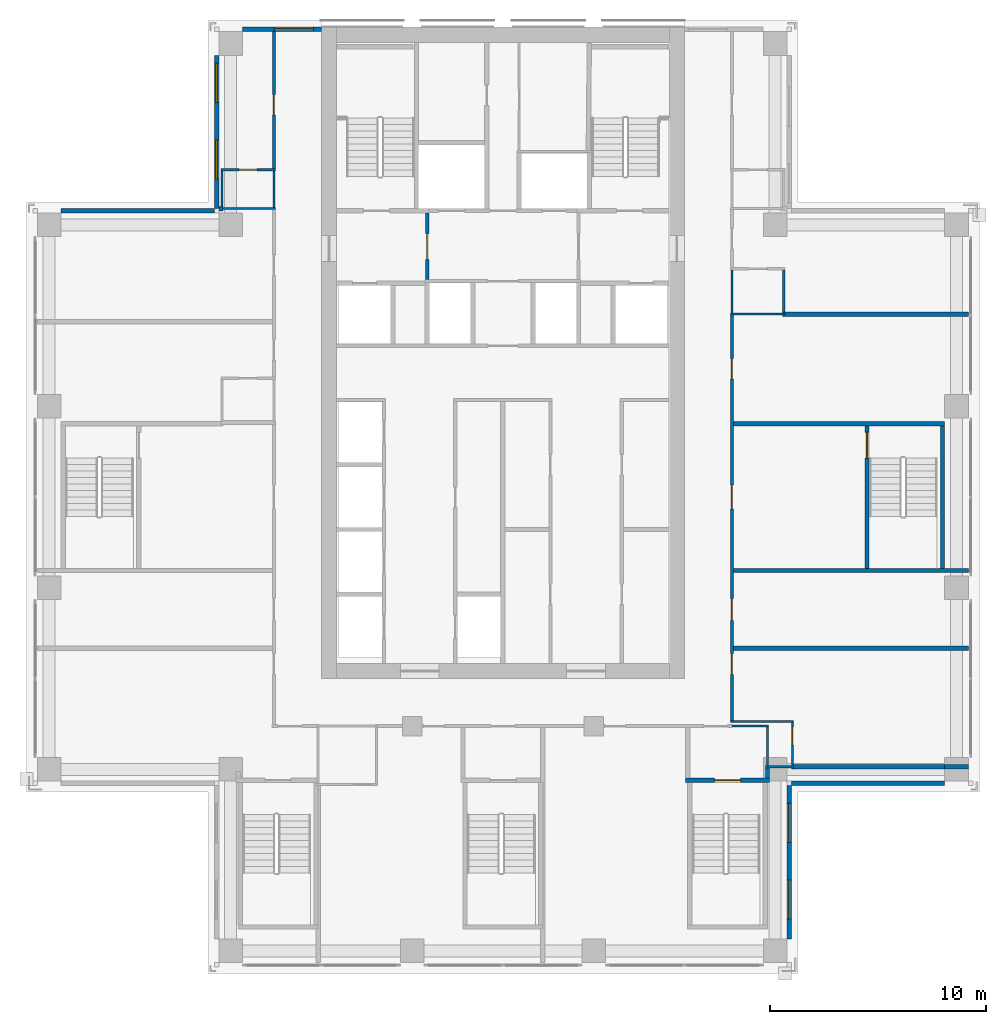
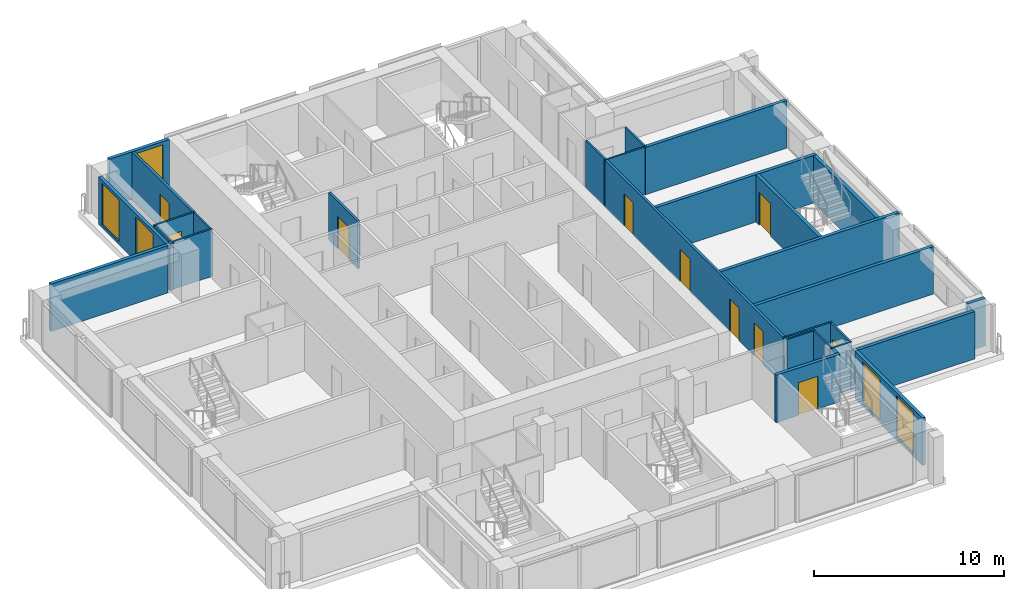
# One storey, part 11 of 16: 31 walls, 10 doors, 5 windows, 15 openings.
"""IFC4 building model written with IfcOpenShell, lengths in metres."""

from ifc_helpers import new_model, si_unit, direction, frame, frame_2d, origin, place, context, subcontext, project, spatial, rectangle, extrude, material, layer, layer_set, type_object, element, fill, save


model = new_model("IFC4")

# Units and contexts
model_context = context("Model", 3, precision=1e-05, world=origin(), true_north=direction((0.0, 1.0)))
body_context = subcontext(model_context, "Body", "Model", "MODEL_VIEW")
ifc_project = project(units=[si_unit("LENGTHUNIT", "METRE"), si_unit("AREAUNIT", "SQUARE_METRE"), si_unit("VOLUMEUNIT", "CUBIC_METRE"), si_unit("PLANEANGLEUNIT", "RADIAN"), si_unit("MASSUNIT", "GRAM", prefix="KILO")], contexts=[model_context])

# Site, building, storey
site_placement = place(None, origin())
site = spatial("IfcSite", under=ifc_project, at=site_placement, CompositionType="ELEMENT")
building_placement = place(site_placement, origin())
building = spatial("IfcBuilding", under=site, at=building_placement, Name="Vermilion Ogive Tower", CompositionType="ELEMENT")
storey_placement = place(building_placement, frame((0.0, 0.0, 146.89990234375)))
storey = spatial("IfcBuildingStorey", under=building, at=storey_placement, Name="L37", CompositionType="ELEMENT", Elevation=146.89990234375)

# Walls
ifc_material_1 = material(Name="Gypsum board partition on steel studs", Category="steel")
ifc_layer_1 = layer(ifc_material_1, 0.10009765625)
ifc_layer_set_1 = layer_set([ifc_layer_1], Name="Partition 100 bath")
wall_type_1 = type_object("IfcWallType", Name="Partition 100 bath", PredefinedType="PARTITIONING", material=ifc_layer_set_1)
wall_1_placement = place(storey_placement, frame((12.152099609375, -12.47998046875, 0.0), z_axis=(0.0, 0.0, 1.0), x_axis=(1.0, 0.0, 0.0)))
element("IfcWall", 1, at=wall_1_placement, inside=storey, type_object=wall_type_1, Name="L37-W-W008", PredefinedType="PARTITIONING", context=body_context, shape_type="SweptSolid", body=[
    extrude(rectangle(XDim=1.2978515625, YDim=0.10009765625, at=frame_2d((0.64892578125, 0.0))), origin(), (0.0, 0.0, 1.0), 3.050048828125),
])
wall_2_placement = place(storey_placement, frame((10.60009765625, -10.60009765625, 0.0), z_axis=(0.0, 0.0, 1.0), x_axis=(1.0, 0.0, 0.0)))
element("IfcWall", 2, at=wall_2_placement, inside=storey, type_object=wall_type_1, Name="L37-W-W013", PredefinedType="PARTITIONING", context=body_context, shape_type="SweptSolid", body=[
    extrude(rectangle(XDim=1.699951171875, YDim=0.10009765625, at=frame_2d((0.85009765625, 0.0))), origin(), (0.0, 0.0, 1.0), 3.050048828125),
])
wall_3_placement = place(storey_placement, frame((10.52490234375, -10.3798828125, 0.0), z_axis=(0.0, 0.0, 1.0), x_axis=(1.0, 0.0, 0.0)))
element("IfcWall", 3, at=wall_3_placement, inside=storey, type_object=wall_type_1, Name="L37-W-W014", PredefinedType="PARTITIONING", context=body_context, shape_type="SweptSolid", body=[
    extrude(rectangle(XDim=2.925048828125, YDim=0.10009765625, at=frame_2d((1.46240234375, 0.0))), origin(), (0.0, 0.0, 1.0), 3.050048828125),
])
for number, where, z_axis, x_axis, name in (
    (4, (10.52490234375, 8.469970703125, 0.0), (0.0, 0.0, 1.0), (1.0, 0.0, 0.0), "L37-W-W024"),
    (5, (-13.050048828125, 13.35009765625, 0.0), (0.0, 0.0, 1.0), (1.0, 0.0, 0.0), "L37-W-W028"),
):
    element("IfcWall", number, at=place(storey_placement, frame(where, z_axis=z_axis, x_axis=x_axis)), inside=storey, type_object=wall_type_1, Name=name, PredefinedType="PARTITIONING", context=body_context, shape_type="SweptSolid", body=[
        extrude(rectangle(XDim=2.525146484375, YDim=0.10009765625, at=frame_2d((1.2626953125, 0.0))), origin(), (0.0, 0.0, 1.0), 3.050048828125),
    ])

# Wall, opening, door
wall_4_placement = place(storey_placement, frame((-13.050048828125, 15.14990234375, 0.0), z_axis=(0.0, 0.0, 1.0), x_axis=(1.0, 0.0, 0.0)))
wall_4 = element("IfcWall", 6, at=wall_4_placement, inside=storey, type_object=wall_type_1, Name="L37-W-W031", PredefinedType="PARTITIONING", context=body_context, shape_type="SweptSolid", body=[
    extrude(rectangle(XDim=2.525146484375, YDim=0.10009765625, at=frame_2d((1.2626953125, 0.0))), origin(), (0.0, 0.0, 1.0), 3.050048828125),
])
opening_1_placement = place(wall_4_placement, frame((0.824951171875, 0.0, 0.0)))
opening_1 = element("IfcOpeningElement", 7, at=opening_1_placement, cuts=wall_4, Name="Opening D3G2006", PredefinedType="OPENING", context=body_context, shape_type="SweptSolid", body=[
    extrude(rectangle(XDim=0.85009765625, YDim=2.10009765625, at=frame_2d((0.425048828125, 1.050048828125))), frame((0.0, 0.06005859375, 0.0), z_axis=(0.0, -1.0, 0.0), x_axis=(1.0, 0.0, 0.0)), (0.0, 0.0, 1.0), 0.1201171875),
])
ifc_material_2 = material(Name="Timber door leaf", Category="wood")
door_type_1 = type_object("IfcDoorType", Name="Bath door 850 x 2100 FD30", OperationType="SINGLE_SWING_LEFT", PredefinedType="DOOR", material=ifc_material_2)
door_1_placement = place(opening_1_placement, origin())
door_1 = element("IfcDoor", 8, at=door_1_placement, inside=storey, type_object=door_type_1, Name="L37-D-D006", OperationType="SINGLE_SWING_RIGHT", OverallHeight=2.10009765625, OverallWidth=0.85009765625, PredefinedType="DOOR", context=body_context, shape_type="SweptSolid", body=[
    extrude(rectangle(XDim=0.85009765625, YDim=2.10009765625, at=frame_2d((0.425048828125, 1.050048828125))), frame((0.0, 0.02490234375, 0.0), z_axis=(0.0, -1.0, 0.0), x_axis=(1.0, 0.0, 0.0)), (0.0, 0.0, 1.0), 0.050048828125),
])
fill(opening_1, door_1)

# Walls
wall_5_placement = place(storey_placement, frame((-13.0, 13.449951171875, 0.0), z_axis=(0.0, 0.0, 1.0), x_axis=(0.0, 1.0, 0.0)))
element("IfcWall", 9, at=wall_5_placement, inside=storey, type_object=wall_type_1, Name="L37-W-W036", PredefinedType="PARTITIONING", context=body_context, shape_type="SweptSolid", body=[
    extrude(rectangle(XDim=1.650146484375, YDim=0.10009765625, at=frame_2d((0.8251953125, 0.0))), origin(), (0.0, 0.0, 1.0), 3.050048828125),
])
wall_6_placement = place(storey_placement, frame((-10.60009765625, 13.39990234375, 0.0), z_axis=(0.0, 0.0, 1.0), x_axis=(0.0, 1.0, 0.0)))
element("IfcWall", 10, at=wall_6_placement, inside=storey, type_object=wall_type_1, Name="L37-W-W042", PredefinedType="PARTITIONING", context=body_context, shape_type="SweptSolid", body=[
    extrude(rectangle(XDim=1.7001953125, YDim=0.10009765625, at=frame_2d((0.85009765625, 0.0))), origin(), (0.0, 0.0, 1.0), 3.050048828125),
])
wall_7_placement = place(storey_placement, frame((10.60009765625, 8.52001953125, 0.0), z_axis=(0.0, 0.0, 1.0), x_axis=(0.0, 1.0, 0.0)))
element("IfcWall", 11, at=wall_7_placement, inside=storey, type_object=wall_type_1, Name="L37-W-W055", PredefinedType="PARTITIONING", context=body_context, shape_type="SweptSolid", body=[
    extrude(rectangle(XDim=2.0, YDim=0.10009765625, at=frame_2d((1.0, 0.0))), origin(), (0.0, 0.0, 1.0), 3.050048828125),
])
wall_8_placement = place(storey_placement, frame((12.25, -12.429931640625, 0.0), z_axis=(0.0, 0.0, 1.0), x_axis=(0.0, 1.0, 0.0)))
element("IfcWall", 12, at=wall_8_placement, inside=storey, type_object=wall_type_1, Name="L37-W-W061", PredefinedType="PARTITIONING", context=body_context, shape_type="SweptSolid", body=[
    extrude(rectangle(XDim=1.780029296875, YDim=0.10009765625, at=frame_2d((0.89013671875, 0.0))), origin(), (0.0, 0.0, 1.0), 3.050048828125),
])
wall_9_placement = place(storey_placement, frame((13.0, 8.570068359375, 0.0), z_axis=(0.0, 0.0, 1.0), x_axis=(0.0, 1.0, 0.0)))
element("IfcWall", 13, at=wall_9_placement, inside=storey, type_object=wall_type_1, Name="L37-W-W062", PredefinedType="PARTITIONING", context=body_context, shape_type="SweptSolid", body=[
    extrude(rectangle(XDim=1.949951171875, YDim=0.10009765625, at=frame_2d((0.97509765625, 0.0))), origin(), (0.0, 0.0, 1.0), 3.050048828125),
])

# Wall, opening, door
wall_10_placement = place(storey_placement, frame((13.39990234375, -12.3798828125, 0.0), z_axis=(0.0, 0.0, 1.0), x_axis=(0.0, 1.0, 0.0)))
wall_10 = element("IfcWall", 14, at=wall_10_placement, inside=storey, type_object=wall_type_1, Name="L37-W-W064", PredefinedType="PARTITIONING", context=body_context, shape_type="SweptSolid", body=[
    extrude(rectangle(XDim=1.949951171875, YDim=0.10009765625, at=frame_2d((0.97509765625, 0.0))), origin(), (0.0, 0.0, 1.0), 3.050048828125),
])
opening_2_placement = place(wall_10_placement, frame((0.89990234375, 0.0, 0.0)))
opening_2 = element("IfcOpeningElement", 15, at=opening_2_placement, cuts=wall_10, Name="Opening D3G2011", PredefinedType="OPENING", context=body_context, shape_type="SweptSolid", body=[
    extrude(rectangle(XDim=0.85009765625, YDim=2.10009765625, at=frame_2d((0.425048828125, 1.050048828125))), frame((0.0, 0.06005859375, 0.0), z_axis=(0.0, -1.0, 0.0), x_axis=(1.0, 0.0, 0.0)), (0.0, 0.0, 1.0), 0.1201171875),
])
door_2_placement = place(opening_2_placement, origin())
door_2 = element("IfcDoor", 16, at=door_2_placement, inside=storey, type_object=door_type_1, Name="L37-D-D011", OperationType="SINGLE_SWING_LEFT", OverallHeight=2.10009765625, OverallWidth=0.85009765625, PredefinedType="DOOR", context=body_context, shape_type="SweptSolid", body=[
    extrude(rectangle(XDim=0.85009765625, YDim=2.10009765625, at=frame_2d((0.425048828125, 1.050048828125))), frame((0.0, 0.02490234375, 0.0), z_axis=(0.0, -1.0, 0.0), x_axis=(1.0, 0.0, 0.0)), (0.0, 0.0, 1.0), 0.050048828125),
])
fill(opening_2, door_2)

ifc_material_3 = material(Name="Gypsum board partition on steel studs", Category="steel")
ifc_layer_2 = layer(ifc_material_3, 0.14990234375)
ifc_layer_set_2 = layer_set([ifc_layer_2], Name="Partition 150 corridor")
wall_type_2 = type_object("IfcWallType", Name="Partition 150 corridor", PredefinedType="PARTITIONING", material=ifc_layer_set_2)
wall_11_placement = place(storey_placement, frame((-10.60009765625, 15.199951171875, 0.0), z_axis=(0.0, 0.0, 1.0), x_axis=(0.0, 1.0, 0.0)))
wall_11 = element("IfcWall", 17, at=wall_11_placement, inside=storey, type_object=wall_type_2, Name="L37-W-W043", PredefinedType="PARTITIONING", context=body_context, shape_type="SweptSolid", body=[
    extrude(rectangle(XDim=6.35009765625, YDim=0.14990234375, at=frame_2d((3.175048828125, 0.0))), origin(), (0.0, 0.0, 1.0), 3.050048828125),
])
opening_3_placement = place(wall_11_placement, frame((2.47509765625, 0.0, 0.0)))
opening_3 = element("IfcOpeningElement", 18, at=opening_3_placement, cuts=wall_11, Name="Opening D3G2005", PredefinedType="OPENING", context=body_context, shape_type="SweptSolid", body=[
    extrude(rectangle(XDim=0.949951171875, YDim=2.10009765625, at=frame_2d((0.47509765625, 1.050048828125))), frame((0.0, 0.0849609375, 0.0), z_axis=(0.0, -1.0, 0.0), x_axis=(1.0, 0.0, 0.0)), (0.0, 0.0, 1.0), 0.169921875),
])
ifc_material_4 = material(Name="Timber door leaf", Category="wood")
door_type_2 = type_object("IfcDoorType", Name="Unit door 950 x 2100 FD30S", OperationType="SINGLE_SWING_LEFT", PredefinedType="DOOR", material=ifc_material_4)
door_3_placement = place(opening_3_placement, origin())
door_3 = element("IfcDoor", 19, at=door_3_placement, inside=storey, type_object=door_type_2, Name="L37-D-D005", OperationType="SINGLE_SWING_RIGHT", OverallHeight=2.10009765625, OverallWidth=0.949951171875, PredefinedType="DOOR", context=body_context, shape_type="SweptSolid", body=[
    extrude(rectangle(XDim=0.949951171875, YDim=2.10009765625, at=frame_2d((0.47509765625, 1.050048828125))), frame((0.0, 0.02490234375, 0.0), z_axis=(0.0, -1.0, 0.0), x_axis=(1.0, 0.0, 0.0)), (0.0, 0.0, 1.0), 0.050048828125),
])
fill(opening_3, door_3)

# Wall, openings, doors
wall_12_placement = place(storey_placement, frame((10.60009765625, -10.330078125, 0.0), z_axis=(0.0, 0.0, 1.0), x_axis=(0.0, 1.0, 0.0)))
wall_12 = element("IfcWall", 20, at=wall_12_placement, inside=storey, type_object=wall_type_2, Name="L37-W-W054", PredefinedType="PARTITIONING", context=body_context, shape_type="SweptSolid", body=[
    extrude(rectangle(XDim=18.75, YDim=0.14990234375, at=frame_2d((9.375, 0.0))), origin(), (0.0, 0.0, 1.0), 3.050048828125),
])
opening_4_placement = place(wall_12_placement, frame((2.130126953125, 0.0, 0.0)))
opening_4 = element("IfcOpeningElement", 21, at=opening_4_placement, cuts=wall_12, Name="Opening D3G2010", PredefinedType="OPENING", context=body_context, shape_type="SweptSolid", body=[
    extrude(rectangle(XDim=0.949951171875, YDim=2.10009765625, at=frame_2d((0.47509765625, 1.050048828125))), frame((0.0, 0.0849609375, 0.0), z_axis=(0.0, -1.0, 0.0), x_axis=(1.0, 0.0, 0.0)), (0.0, 0.0, 1.0), 0.169921875),
])
opening_5_placement = place(wall_12_placement, frame((15.7900390625, 0.0, 0.0)))
opening_5 = element("IfcOpeningElement", 22, at=opening_5_placement, cuts=wall_12, Name="Opening D3G2012", PredefinedType="OPENING", context=body_context, shape_type="SweptSolid", body=[
    extrude(rectangle(XDim=0.949951171875, YDim=2.10009765625, at=frame_2d((0.47509765625, 1.050048828125))), frame((0.0, 0.0849609375, 0.0), z_axis=(0.0, -1.0, 0.0), x_axis=(1.0, 0.0, 0.0)), (0.0, 0.0, 1.0), 0.169921875),
])
opening_6_placement = place(wall_12_placement, frame((9.780029296875, 0.0, 0.0)))
opening_6 = element("IfcOpeningElement", 23, at=opening_6_placement, cuts=wall_12, Name="Opening D3G2023", PredefinedType="OPENING", context=body_context, shape_type="SweptSolid", body=[
    extrude(rectangle(XDim=1.10009765625, YDim=2.10009765625, at=frame_2d((0.550048828125, 1.050048828125))), frame((0.0, 0.0849609375, 0.0), z_axis=(0.0, -1.0, 0.0), x_axis=(1.0, 0.0, 0.0)), (0.0, 0.0, 1.0), 0.169921875),
])
opening_7_placement = place(wall_12_placement, frame((4.630126953125, 0.0, 0.0)))
opening_7 = element("IfcOpeningElement", 24, at=opening_7_placement, cuts=wall_12, Name="Opening D3G2028", PredefinedType="OPENING", context=body_context, shape_type="SweptSolid", body=[
    extrude(rectangle(XDim=1.0, YDim=2.10009765625, at=frame_2d((0.5, 1.050048828125))), frame((0.0, 0.0849609375, 0.0), z_axis=(0.0, -1.0, 0.0), x_axis=(1.0, 0.0, 0.0)), (0.0, 0.0, 1.0), 0.169921875),
])
ifc_material_5 = material(Name="Timber door leaf", Category="wood")
door_type_3 = type_object("IfcDoorType", Name="Stair door 1100 x 2100 FD60S", OperationType="SINGLE_SWING_LEFT", PredefinedType="DOOR", material=ifc_material_5)
door_4_placement = place(opening_6_placement, origin())
door_4 = element("IfcDoor", 25, at=door_4_placement, inside=storey, type_object=door_type_3, Name="L37-D-D023", OperationType="SINGLE_SWING_LEFT", OverallHeight=2.10009765625, OverallWidth=1.10009765625, PredefinedType="DOOR", context=body_context, shape_type="SweptSolid", body=[
    extrude(rectangle(XDim=1.10009765625, YDim=2.10009765625, at=frame_2d((0.550048828125, 1.050048828125))), frame((0.0, 0.02490234375, 0.0), z_axis=(0.0, -1.0, 0.0), x_axis=(1.0, 0.0, 0.0)), (0.0, 0.0, 1.0), 0.050048828125),
])
fill(opening_6, door_4)
ifc_material_6 = material(Name="Timber door leaf", Category="wood")
door_type_4 = type_object("IfcDoorType", Name="Unit door 1000 x 2100 FD30S", OperationType="SINGLE_SWING_LEFT", PredefinedType="DOOR", material=ifc_material_6)
door_5_placement = place(opening_7_placement, origin())
door_5 = element("IfcDoor", 26, at=door_5_placement, inside=storey, type_object=door_type_4, Name="L37-D-D028", OperationType="SINGLE_SWING_RIGHT", OverallHeight=2.10009765625, OverallWidth=1.0, PredefinedType="DOOR", context=body_context, shape_type="SweptSolid", body=[
    extrude(rectangle(XDim=1.0, YDim=2.10009765625, at=frame_2d((0.5, 1.050048828125))), frame((0.0, 0.02490234375, 0.0), z_axis=(0.0, -1.0, 0.0), x_axis=(1.0, 0.0, 0.0)), (0.0, 0.0, 1.0), 0.050048828125),
])
fill(opening_7, door_5)
door_6_placement = place(opening_4_placement, origin())
door_6 = element("IfcDoor", 27, at=door_6_placement, inside=storey, type_object=door_type_2, Name="L37-D-D010", OperationType="SINGLE_SWING_LEFT", OverallHeight=2.10009765625, OverallWidth=0.949951171875, PredefinedType="DOOR", context=body_context, shape_type="SweptSolid", body=[
    extrude(rectangle(XDim=0.949951171875, YDim=2.10009765625, at=frame_2d((0.47509765625, 1.050048828125))), frame((0.0, 0.02490234375, 0.0), z_axis=(0.0, -1.0, 0.0), x_axis=(1.0, 0.0, 0.0)), (0.0, 0.0, 1.0), 0.050048828125),
])
fill(opening_4, door_6)
door_7_placement = place(opening_5_placement, origin())
door_7 = element("IfcDoor", 28, at=door_7_placement, inside=storey, type_object=door_type_2, Name="L37-D-D012", OperationType="SINGLE_SWING_RIGHT", OverallHeight=2.10009765625, OverallWidth=0.949951171875, PredefinedType="DOOR", context=body_context, shape_type="SweptSolid", body=[
    extrude(rectangle(XDim=0.949951171875, YDim=2.10009765625, at=frame_2d((0.47509765625, 1.050048828125))), frame((0.0, 0.02490234375, 0.0), z_axis=(0.0, -1.0, 0.0), x_axis=(1.0, 0.0, 0.0)), (0.0, 0.0, 1.0), 0.050048828125),
])
fill(opening_5, door_7)

# Wall, opening, door
wall_13_placement = place(storey_placement, frame((-3.5, 10.074951171875, 0.0), z_axis=(0.0, 0.0, 1.0), x_axis=(0.0, 1.0, 0.0)))
wall_13 = element("IfcWall", 29, at=wall_13_placement, inside=storey, type_object=wall_type_2, Name="L37-CK-W-W023", PredefinedType="PARTITIONING", context=body_context, shape_type="SweptSolid", body=[
    extrude(rectangle(XDim=3.074951171875, YDim=0.14990234375, at=frame_2d((1.53759765625, 0.0))), origin(), (0.0, 0.0, 1.0), 3.050048828125),
])
opening_8_placement = place(wall_13_placement, frame((0.925048828125, 0.0, 0.0)))
opening_8 = element("IfcOpeningElement", 30, at=opening_8_placement, cuts=wall_13, Name="Opening DAA300", PredefinedType="OPENING", context=body_context, shape_type="SweptSolid", body=[
    extrude(rectangle(XDim=1.199951171875, YDim=2.10009765625, at=frame_2d((0.60009765625, 1.050048828125))), frame((0.0, 0.0849609375, 0.0), z_axis=(0.0, -1.0, 0.0), x_axis=(1.0, 0.0, 0.0)), (0.0, 0.0, 1.0), 0.169921875),
])
ifc_material_7 = material(Name="Timber door leaf", Category="wood")
door_type_5 = type_object("IfcDoorType", Name="Lobby door 1200 x 2100 FD60S", OperationType="SINGLE_SWING_LEFT", PredefinedType="DOOR", material=ifc_material_7)
door_8_placement = place(opening_8_placement, origin())
door_8 = element("IfcDoor", 31, at=door_8_placement, inside=storey, type_object=door_type_5, Name="L37-CK-D-D022", OperationType="SINGLE_SWING_RIGHT", OverallHeight=2.10009765625, OverallWidth=1.199951171875, PredefinedType="DOOR", context=body_context, shape_type="SweptSolid", body=[
    extrude(rectangle(XDim=1.199951171875, YDim=2.10009765625, at=frame_2d((0.60009765625, 1.050048828125))), frame((0.0, 0.02490234375, 0.0), z_axis=(0.0, -1.0, 0.0), x_axis=(1.0, 0.0, 0.0)), (0.0, 0.0, 1.0), 0.050048828125),
])
fill(opening_8, door_8)

# Walls
ifc_material_8 = material(Name="Gypsum board partition on steel studs", Category="steel")
ifc_layer_3 = layer(ifc_material_8, 0.199951171875)
ifc_layer_set_3 = layer_set([ifc_layer_3], Name="Partition 200 party")
wall_type_3 = type_object("IfcWallType", Name="Partition 200 party", PredefinedType="PARTITIONING", material=ifc_layer_set_3)
wall_14_placement = place(storey_placement, frame((13.35009765625, -12.47998046875, 0.0), z_axis=(0.0, 0.0, 1.0), x_axis=(1.0, 0.0, 0.0)))
element("IfcWall", 32, at=wall_14_placement, inside=storey, type_object=wall_type_3, Name="L37-W-W009", PredefinedType="PARTITIONING", context=body_context, shape_type="SweptSolid", body=[
    extrude(rectangle(XDim=7.099853515625, YDim=0.199951171875, at=frame_2d((3.5498046875, 0.0))), origin(), (0.0, 0.0, 1.0), 2.5),
])
wall_15_placement = place(storey_placement, frame((10.675048828125, -7.0, 0.0), z_axis=(0.0, 0.0, 1.0), x_axis=(1.0, 0.0, 0.0)))
element("IfcWall", 33, at=wall_15_placement, inside=storey, type_object=wall_type_3, Name="L37-W-W016", PredefinedType="PARTITIONING", context=body_context, shape_type="SweptSolid", body=[
    extrude(rectangle(XDim=10.875, YDim=0.199951171875, at=frame_2d((5.4375, 0.0))), origin(), (0.0, 0.0, 1.0), 3.050048828125),
])
wall_16_placement = place(storey_placement, frame((12.949951171875, 8.469970703125, 0.0), z_axis=(0.0, 0.0, 1.0), x_axis=(1.0, 0.0, 0.0)))
element("IfcWall", 34, at=wall_16_placement, inside=storey, type_object=wall_type_3, Name="L37-W-W025", PredefinedType="PARTITIONING", context=body_context, shape_type="SweptSolid", body=[
    extrude(rectangle(XDim=8.60009765625, YDim=0.199951171875, at=frame_2d((4.300048828125, 0.0))), origin(), (0.0, 0.0, 1.0), 3.050048828125),
])
wall_17_placement = place(storey_placement, frame((-13.14990234375, 13.35009765625, 0.0), z_axis=(0.0, 0.0, 1.0), x_axis=(1.0, 0.0, 0.0)))
element("IfcWall", 35, at=wall_17_placement, inside=storey, type_object=wall_type_3, Name="L37-W-W027", PredefinedType="PARTITIONING", context=body_context, shape_type="SweptSolid", body=[
    extrude(rectangle(XDim=0.199951171875, YDim=0.199951171875, at=frame_2d((0.10009765625, 0.0))), origin(), (0.0, 0.0, 1.0), 3.050048828125),
])
wall_18_placement = place(storey_placement, frame((12.25, -12.998046875, 0.0), z_axis=(0.0, 0.0, 1.0), x_axis=(0.0, 1.0, 0.0)))
element("IfcWall", 36, at=wall_18_placement, inside=storey, type_object=wall_type_3, Name="L37-W-W060", PredefinedType="PARTITIONING", context=body_context, shape_type="SweptSolid", body=[
    extrude(rectangle(XDim=0.466064453125, YDim=0.199951171875, at=frame_2d((0.23291015625, 0.0))), origin(), (0.0, 0.0, 1.0), 3.050048828125),
])
wall_19_placement = place(storey_placement, frame((20.449951171875, -12.47998046875, 0.0), z_axis=(0.0, 0.0, 1.0), x_axis=(1.0, 0.0, 0.0)))
element("IfcWall", 37, at=wall_19_placement, inside=storey, type_object=wall_type_3, Name="L37-W-W009-h1", PredefinedType="PARTITIONING", context=body_context, shape_type="SweptSolid", body=[
    extrude(rectangle(XDim=1.10009765625, YDim=0.199951171875, at=frame_2d((0.550048828125, 0.0))), origin(), (0.0, 0.0, 1.0), 3.050048828125),
])

# Wall, opening, door
ifc_material_9 = material(Name="Concrete B60", Category="concrete")
ifc_layer_4 = layer(ifc_material_9, 0.199951171875)
ifc_layer_set_4 = layer_set([ifc_layer_4], Name="Stair shaft wall 200 Concrete B60")
wall_type_4 = type_object("IfcWallType", Name="Stair shaft wall 200 Concrete B60", PredefinedType="SOLIDWALL", material=ifc_layer_set_4)
wall_20_placement = place(storey_placement, frame((8.451904296875, -13.10009765625, 0.0), z_axis=(0.0, 0.0, 1.0), x_axis=(1.0, 0.0, 0.0)))
wall_20 = element("IfcWall", 38, at=wall_20_placement, inside=storey, type_object=wall_type_4, Name="L37-W-W007", PredefinedType="SOLIDWALL", context=body_context, shape_type="SweptSolid", body=[
    extrude(rectangle(XDim=3.89599609375, YDim=0.199951171875, at=frame_2d((1.947998046875, 0.0))), origin(), (0.0, 0.0, 1.0), 3.050048828125),
])
opening_9_placement = place(wall_20_placement, frame((1.34814453125, 0.0, 0.0)))
opening_9 = element("IfcOpeningElement", 39, at=opening_9_placement, cuts=wall_20, Name="Opening D3G2022", PredefinedType="OPENING", context=body_context, shape_type="SweptSolid", body=[
    extrude(rectangle(XDim=1.199951171875, YDim=2.10009765625, at=frame_2d((0.60009765625, 1.050048828125))), frame((0.0, 0.10986328125, 0.0), z_axis=(0.0, -1.0, 0.0), x_axis=(1.0, 0.0, 0.0)), (0.0, 0.0, 1.0), 0.219970703125),
])
ifc_material_10 = material(Name="Timber door leaf", Category="wood")
door_type_6 = type_object("IfcDoorType", Name="Stair door 1200 x 2100 FD60S", OperationType="SINGLE_SWING_LEFT", PredefinedType="DOOR", material=ifc_material_10)
door_9_placement = place(opening_9_placement, origin())
door_9 = element("IfcDoor", 40, at=door_9_placement, inside=storey, type_object=door_type_6, Name="L37-D-D022", OperationType="SINGLE_SWING_RIGHT", OverallHeight=2.10009765625, OverallWidth=1.199951171875, PredefinedType="DOOR", context=body_context, shape_type="SweptSolid", body=[
    extrude(rectangle(XDim=1.199951171875, YDim=2.10009765625, at=frame_2d((0.60009765625, 1.050048828125))), frame((0.0, 0.02490234375, 0.0), z_axis=(0.0, -1.0, 0.0), x_axis=(1.0, 0.0, 0.0)), (0.0, 0.0, 1.0), 0.050048828125),
])
fill(opening_9, door_9)

# Wall
wall_21_placement = place(storey_placement, frame((10.675048828125, 3.39990234375, 0.0), z_axis=(0.0, 0.0, 1.0), x_axis=(1.0, 0.0, 0.0)))
element("IfcWall", 41, at=wall_21_placement, inside=storey, type_object=wall_type_4, Name="L37-W-W021", PredefinedType="SOLIDWALL", context=body_context, shape_type="SweptSolid", body=[
    extrude(rectangle(XDim=9.77294921875, YDim=0.199951171875, at=frame_2d((4.886474609375, 0.0))), origin(), (0.0, 0.0, 1.0), 3.050048828125),
])

# Wall, opening, door
wall_22_placement = place(storey_placement, frame((16.85009765625, -3.300048828125, 0.0), z_axis=(0.0, 0.0, 1.0), x_axis=(0.0, 1.0, 0.0)))
wall_22 = element("IfcWall", 42, at=wall_22_placement, inside=storey, type_object=wall_type_4, Name="L37-W-W065", PredefinedType="SOLIDWALL", context=body_context, shape_type="SweptSolid", body=[
    extrude(rectangle(XDim=6.60009765625, YDim=0.199951171875, at=frame_2d((3.300048828125, 0.0))), origin(), (0.0, 0.0, 1.0), 3.050048828125),
])
opening_10_placement = place(wall_22_placement, frame((5.10009765625, 0.0, 0.0)))
opening_10 = element("IfcOpeningElement", 43, at=opening_10_placement, cuts=wall_22, Name="Opening D3G2024", PredefinedType="OPENING", context=body_context, shape_type="SweptSolid", body=[
    extrude(rectangle(XDim=1.199951171875, YDim=2.10009765625, at=frame_2d((0.60009765625, 1.050048828125))), frame((0.0, 0.10986328125, 0.0), z_axis=(0.0, -1.0, 0.0), x_axis=(1.0, 0.0, 0.0)), (0.0, 0.0, 1.0), 0.219970703125),
])
door_10_placement = place(opening_10_placement, origin())
door_10 = element("IfcDoor", 44, at=door_10_placement, inside=storey, type_object=door_type_6, Name="L37-D-D024", OperationType="SINGLE_SWING_LEFT", OverallHeight=2.10009765625, OverallWidth=1.199951171875, PredefinedType="DOOR", context=body_context, shape_type="SweptSolid", body=[
    extrude(rectangle(XDim=1.199951171875, YDim=2.10009765625, at=frame_2d((0.60009765625, 1.050048828125))), frame((0.0, 0.02490234375, 0.0), z_axis=(0.0, -1.0, 0.0), x_axis=(1.0, 0.0, 0.0)), (0.0, 0.0, 1.0), 0.050048828125),
])
fill(opening_10, door_10)

# Walls
wall_23_placement = place(storey_placement, frame((20.35009765625, -3.298095703125, 0.0), z_axis=(0.0, 0.0, 1.0), x_axis=(0.0, 1.0, 0.0)))
element("IfcWall", 45, at=wall_23_placement, inside=storey, type_object=wall_type_4, Name="L37-W-W066", PredefinedType="SOLIDWALL", context=body_context, shape_type="SweptSolid", body=[
    extrude(rectangle(XDim=6.59619140625, YDim=0.199951171875, at=frame_2d((3.298095703125, 0.0))), origin(), (0.0, 0.0, 1.0), 3.050048828125),
])
wall_24_placement = place(storey_placement, frame((10.675048828125, -3.39990234375, 0.0), z_axis=(0.0, 0.0, 1.0), x_axis=(1.0, 0.0, 0.0)))
element("IfcWall", 46, at=wall_24_placement, inside=storey, type_object=wall_type_4, Name="L37-W-W018-A", PredefinedType="SOLIDWALL", context=body_context, shape_type="SweptSolid", body=[
    extrude(rectangle(XDim=10.875, YDim=0.199951171875, at=frame_2d((5.4375, 0.0))), origin(), (0.0, 0.0, 1.0), 3.050048828125),
])

# Wall, openings, windows
ifc_material_11 = material(Name="Aluminium window wall framing", Category="aluminium")
ifc_layer_5 = layer(ifc_material_11, 0.199951171875)
ifc_layer_set_5 = layer_set([ifc_layer_5], Name="Window wall")
wall_type_5 = type_object("IfcWallType", Name="Window wall", PredefinedType="STANDARD", material=ifc_layer_set_5)
wall_25_placement = place(storey_placement, frame((13.25, -20.449951171875, 0.0), z_axis=(0.0, 0.0, 1.0), x_axis=(0.0, 1.0, 0.0)))
wall_25 = element("IfcWall", 47, at=wall_25_placement, inside=storey, type_object=wall_type_5, Name="Window wall X11", PredefinedType="STANDARD", context=body_context, shape_type="SweptSolid", body=[
    extrude(rectangle(XDim=7.099853515625, YDim=0.199951171875, at=frame_2d((3.5498046875, 0.0))), origin(), (0.0, 0.0, 1.0), 3.050048828125),
])
opening_11_placement = place(wall_25_placement, frame((0.925048828125, 0.0, 0.199951171875)))
opening_11 = element("IfcOpeningElement", 48, at=opening_11_placement, cuts=wall_25, Name="Opening W1-X195", PredefinedType="OPENING", context=body_context, shape_type="SweptSolid", body=[
    extrude(rectangle(XDim=1.800048828125, YDim=2.64990234375, at=frame_2d((0.89990234375, 1.324951171875))), frame((0.0, 0.10986328125, 0.0), z_axis=(0.0, -1.0, 0.0), x_axis=(1.0, 0.0, 0.0)), (0.0, 0.0, 1.0), 0.219970703125),
])
opening_12_placement = place(wall_25_placement, frame((4.47509765625, 0.0, 0.199951171875)))
opening_12 = element("IfcOpeningElement", 49, at=opening_12_placement, cuts=wall_25, Name="Opening W1-X196", PredefinedType="OPENING", context=body_context, shape_type="SweptSolid", body=[
    extrude(rectangle(XDim=1.800048828125, YDim=2.64990234375, at=frame_2d((0.89990234375, 1.324951171875))), frame((0.0, 0.10986328125, 0.0), z_axis=(0.0, -1.0, 0.0), x_axis=(1.0, 0.0, 0.0)), (0.0, 0.0, 1.0), 0.219970703125),
])
ifc_material_12 = material(Name="Aluminium framed double glazing", Category="aluminium")
window_type = type_object("IfcWindowType", Name="Guest window W1", PartitioningType="SINGLE_PANEL", PredefinedType="WINDOW", material=ifc_material_12)
window_1_placement = place(opening_11_placement, origin())
window_1 = element("IfcWindow", 50, at=window_1_placement, inside=storey, type_object=window_type, Name="Window X195", OverallHeight=2.64990234375, OverallWidth=1.800048828125, PartitioningType="SINGLE_PANEL", PredefinedType="WINDOW", context=body_context, shape_type="SweptSolid", body=[
    extrude(rectangle(XDim=1.800048828125, YDim=2.64990234375, at=frame_2d((0.89990234375, 1.324951171875))), frame((0.0, 0.030029296875, 0.0), z_axis=(0.0, -1.0, 0.0), x_axis=(1.0, 0.0, 0.0)), (0.0, 0.0, 1.0), 0.06005859375),
])
fill(opening_11, window_1)
window_2_placement = place(opening_12_placement, origin())
window_2 = element("IfcWindow", 51, at=window_2_placement, inside=storey, type_object=window_type, Name="Window X196", OverallHeight=2.64990234375, OverallWidth=1.800048828125, PartitioningType="SINGLE_PANEL", PredefinedType="WINDOW", context=body_context, shape_type="SweptSolid", body=[
    extrude(rectangle(XDim=1.800048828125, YDim=2.64990234375, at=frame_2d((0.89990234375, 1.324951171875))), frame((0.0, 0.030029296875, 0.0), z_axis=(0.0, -1.0, 0.0), x_axis=(1.0, 0.0, 0.0)), (0.0, 0.0, 1.0), 0.06005859375),
])
fill(opening_12, window_2)

# Wall
wall_26_placement = place(storey_placement, frame((13.35009765625, -13.25, 0.0), z_axis=(0.0, 0.0, 1.0), x_axis=(1.0, 0.0, 0.0)))
element("IfcWall", 52, at=wall_26_placement, inside=storey, type_object=wall_type_5, Name="Window wall X21", PredefinedType="STANDARD", context=body_context, shape_type="SweptSolid", body=[
    extrude(rectangle(XDim=7.099853515625, YDim=0.199951171875, at=frame_2d((3.5498046875, 0.0))), origin(), (0.0, 0.0, 1.0), 3.050048828125),
])

# Wall, opening, window
wall_27_placement = place(storey_placement, frame((-8.39990234375, 21.64990234375, 0.0), z_axis=(0.0, 0.0, 1.0), x_axis=(-1.0, 0.0, 0.0)))
wall_27 = element("IfcWall", 53, at=wall_27_placement, inside=storey, type_object=wall_type_5, Name="Window wall N21", PredefinedType="STANDARD", context=body_context, shape_type="SweptSolid", body=[
    extrude(rectangle(XDim=3.650146484375, YDim=0.199951171875, at=frame_2d((1.8251953125, 0.0))), origin(), (0.0, 0.0, 1.0), 3.050048828125),
])
opening_13_placement = place(wall_27_placement, frame((0.375, 0.0, 0.199951171875)))
opening_13 = element("IfcOpeningElement", 54, at=opening_13_placement, cuts=wall_27, Name="Opening W1-N297", PredefinedType="OPENING", context=body_context, shape_type="SweptSolid", body=[
    extrude(rectangle(XDim=1.800048828125, YDim=2.64990234375, at=frame_2d((0.89990234375, 1.324951171875))), frame((0.0, 0.10986328125, 0.0), z_axis=(0.0, -1.0, 0.0), x_axis=(1.0, 0.0, 0.0)), (0.0, 0.0, 1.0), 0.219970703125),
])
window_3_placement = place(opening_13_placement, origin())
window_3 = element("IfcWindow", 55, at=window_3_placement, inside=storey, type_object=window_type, Name="Window N297", OverallHeight=2.64990234375, OverallWidth=1.800048828125, PartitioningType="SINGLE_PANEL", PredefinedType="WINDOW", context=body_context, shape_type="SweptSolid", body=[
    extrude(rectangle(XDim=1.800048828125, YDim=2.64990234375, at=frame_2d((0.89990234375, 1.324951171875))), frame((0.0, 0.030029296875, 0.0), z_axis=(0.0, -1.0, 0.0), x_axis=(1.0, 0.0, 0.0)), (0.0, 0.0, 1.0), 0.06005859375),
])
fill(opening_13, window_3)

# Wall, openings, windows
wall_28_placement = place(storey_placement, frame((-13.25, 20.449951171875, 0.0), z_axis=(0.0, 0.0, 1.0), x_axis=(0.0, -1.0, 0.0)))
wall_28 = element("IfcWall", 56, at=wall_28_placement, inside=storey, type_object=wall_type_5, Name="Window wall X51", PredefinedType="STANDARD", context=body_context, shape_type="SweptSolid", body=[
    extrude(rectangle(XDim=7.099853515625, YDim=0.199951171875, at=frame_2d((3.5498046875, 0.0))), origin(), (0.0, 0.0, 1.0), 3.050048828125),
])
opening_14_placement = place(wall_28_placement, frame((3.925048828125, 0.0, 0.199951171875)))
opening_14 = element("IfcOpeningElement", 57, at=opening_14_placement, cuts=wall_28, Name="Opening W1-X503", PredefinedType="OPENING", context=body_context, shape_type="SweptSolid", body=[
    extrude(rectangle(XDim=1.800048828125, YDim=2.64990234375, at=frame_2d((0.89990234375, 1.324951171875))), frame((0.0, 0.10986328125, 0.0), z_axis=(0.0, -1.0, 0.0), x_axis=(1.0, 0.0, 0.0)), (0.0, 0.0, 1.0), 0.219970703125),
])
opening_15_placement = place(wall_28_placement, frame((0.375, 0.0, 0.199951171875)))
opening_15 = element("IfcOpeningElement", 58, at=opening_15_placement, cuts=wall_28, Name="Opening W1-X504", PredefinedType="OPENING", context=body_context, shape_type="SweptSolid", body=[
    extrude(rectangle(XDim=1.800048828125, YDim=2.64990234375, at=frame_2d((0.89990234375, 1.324951171875))), frame((0.0, 0.10986328125, 0.0), z_axis=(0.0, -1.0, 0.0), x_axis=(1.0, 0.0, 0.0)), (0.0, 0.0, 1.0), 0.219970703125),
])
window_4_placement = place(opening_14_placement, origin())
window_4 = element("IfcWindow", 59, at=window_4_placement, inside=storey, type_object=window_type, Name="Window X503", OverallHeight=2.64990234375, OverallWidth=1.800048828125, PartitioningType="SINGLE_PANEL", PredefinedType="WINDOW", context=body_context, shape_type="SweptSolid", body=[
    extrude(rectangle(XDim=1.800048828125, YDim=2.64990234375, at=frame_2d((0.89990234375, 1.324951171875))), frame((0.0, 0.030029296875, 0.0), z_axis=(0.0, -1.0, 0.0), x_axis=(1.0, 0.0, 0.0)), (0.0, 0.0, 1.0), 0.06005859375),
])
fill(opening_14, window_4)
window_5_placement = place(opening_15_placement, origin())
window_5 = element("IfcWindow", 60, at=window_5_placement, inside=storey, type_object=window_type, Name="Window X504", OverallHeight=2.64990234375, OverallWidth=1.800048828125, PartitioningType="SINGLE_PANEL", PredefinedType="WINDOW", context=body_context, shape_type="SweptSolid", body=[
    extrude(rectangle(XDim=1.800048828125, YDim=2.64990234375, at=frame_2d((0.89990234375, 1.324951171875))), frame((0.0, 0.030029296875, 0.0), z_axis=(0.0, -1.0, 0.0), x_axis=(1.0, 0.0, 0.0)), (0.0, 0.0, 1.0), 0.06005859375),
])
fill(opening_15, window_5)

# Wall
wall_29_placement = place(storey_placement, frame((-13.35009765625, 13.25, 0.0), z_axis=(0.0, 0.0, 1.0), x_axis=(-1.0, 0.0, 0.0)))
element("IfcWall", 61, at=wall_29_placement, inside=storey, type_object=wall_type_5, Name="Window wall X61", PredefinedType="STANDARD", context=body_context, shape_type="SweptSolid", body=[
    extrude(rectangle(XDim=7.099853515625, YDim=0.199951171875, at=frame_2d((3.5498046875, 0.0))), origin(), (0.0, 0.0, 1.0), 3.050048828125),
])

save(model, "model.ifc")
